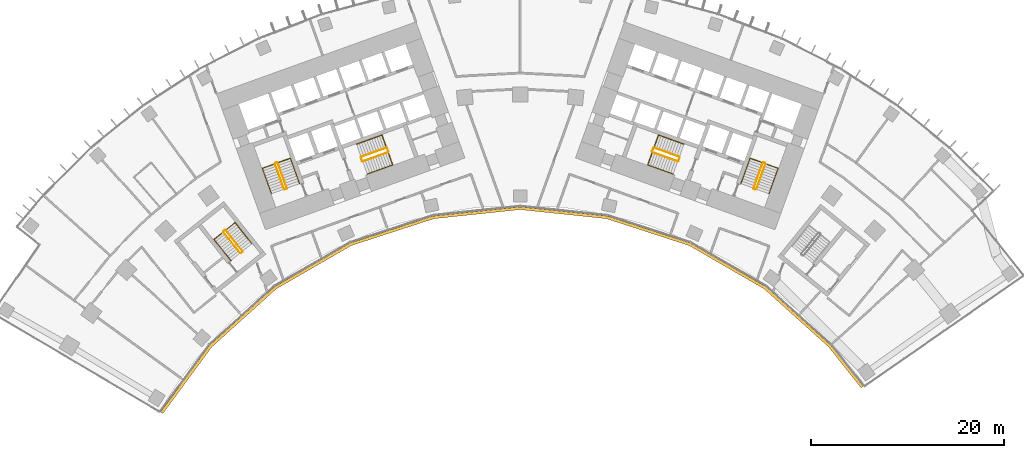
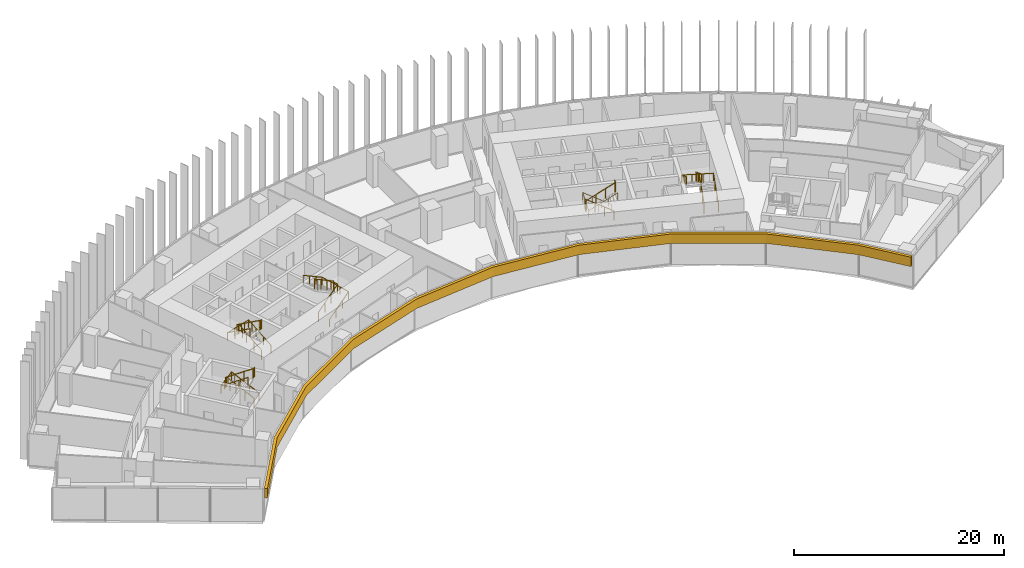
# One storey, part 23 of 24: 15 railings, 1 covering.
"""IFC4 building model written with IfcOpenShell, lengths in metres."""

from ifc_helpers import new_model, si_unit, direction, frame, origin, origin_2d, place, context, subcontext, project, spatial, polyline, circle, outline, extrude, material, layer, layer_set, type_object, element, save


model = new_model("IFC4")

# Units and contexts
model_context = context("Model", 3, precision=1e-05, world=origin(), true_north=direction((0.0, 1.0)))
body_context = subcontext(model_context, "Body", "Model", "MODEL_VIEW")
ifc_project = project(units=[si_unit("LENGTHUNIT", "METRE"), si_unit("AREAUNIT", "SQUARE_METRE"), si_unit("VOLUMEUNIT", "CUBIC_METRE"), si_unit("PLANEANGLEUNIT", "RADIAN"), si_unit("MASSUNIT", "GRAM", prefix="KILO")], contexts=[model_context])

# Site, building, storey
site_placement = place(None, origin())
site = spatial("IfcSite", under=ifc_project, at=site_placement, CompositionType="ELEMENT")
building_placement = place(site_placement, origin())
building = spatial("IfcBuilding", under=site, at=building_placement, Name="Stone Belt Terrace Tower", CompositionType="ELEMENT")
storey_placement = place(building_placement, frame((0.0, 0.0, 64.199951171875)))
storey = spatial("IfcBuildingStorey", under=building, at=storey_placement, Name="L15", CompositionType="ELEMENT", Elevation=64.199951171875)

# Railings
ifc_material_1 = material(Name="Structural steel C345", Category="steel")
railing_type_1 = type_object("IfcRailingType", Name="Stair guard 1100", PredefinedType="GUARDRAIL", material=ifc_material_1)
railing_1_placement = place(storey_placement, frame((-24.2119140625, 45.276123046875, 0.1728515625)))
element("IfcRailing", 1, at=railing_1_placement, inside=storey, type_object=railing_type_1, Name="L15 ST1A stair guard 1", PredefinedType="GUARDRAIL", context=body_context, shape_type="SweptSolid", body=[
    extrude(circle(Radius=0.02392578125, at=origin_2d()), frame((0.0, 0.0, 1.076171875), z_axis=(-0.288228637646, 0.800791768495, 0.525030280985), x_axis=(-0.940908529223, -0.338660803216, 0.0)), (0.0, 0.0, 1.0), 3.289794921875),
    extrude(circle(Radius=0.02392578125, at=origin_2d()), frame((-0.9482421875, 2.634521484375, 2.80322265625), z_axis=(-0.905209821074, 0.424964916, 0.0), x_axis=(-0.424964916, -0.905209821074, 0.0)), (0.0, 0.0, 1.0), 0.070556640625),
    extrude(circle(Radius=0.02392578125, at=origin_2d()), frame((-1.01220703125, 2.66455078125, 2.80322265625), z_axis=(-0.941105063269, -0.338114270461, 0.0), x_axis=(0.338114270461, -0.941105063269, 0.0)), (0.0, 0.0, 1.0), 0.199951171875),
    extrude(circle(Radius=0.02099609375, at=origin_2d()), origin(), (0.0, 0.0, 1.0), 1.052001953125),
    extrude(circle(Radius=0.02099609375, at=origin_2d()), frame((-0.316162109375, 0.878173828125, 0.57568359375)), (0.0, 0.0, 1.0), 1.052001953125),
    extrude(circle(Radius=0.02099609375, at=origin_2d()), frame((-0.632080078125, 1.75634765625, 1.151611328125)), (0.0, 0.0, 1.0), 1.052001953125),
    extrude(circle(Radius=0.02099609375, at=origin_2d()), frame((-0.9482421875, 2.634521484375, 1.727294921875)), (0.0, 0.0, 1.0), 1.052001953125),
    extrude(circle(Radius=0.02099609375, at=origin_2d()), frame((-1.01220703125, 2.66455078125, 1.727294921875)), (0.0, 0.0, 1.0), 1.052001953125),
    extrude(circle(Radius=0.02099609375, at=origin_2d()), frame((-1.200439453125, 2.596923828125, 1.727294921875)), (0.0, 0.0, 1.0), 1.052001953125),
])
railing_2_placement = place(storey_placement, frame((-25.4423828125, 47.80908203125, 2.07275390625)))
element("IfcRailing", 2, at=railing_2_placement, inside=storey, type_object=railing_type_1, Name="L15 ST1A stair guard 2", PredefinedType="GUARDRAIL", context=body_context, shape_type="SweptSolid", body=[
    extrude(circle(Radius=0.02392578125, at=origin_2d()), frame((0.0, 0.0, 1.076171875), z_axis=(0.288228637646, -0.800791768495, 0.525030280985), x_axis=(0.940908529223, 0.338660803216, 0.0)), (0.0, 0.0, 1.0), 3.289794921875),
    extrude(circle(Radius=0.02392578125, at=origin_2d()), frame((0.9482421875, -2.634521484375, 2.80322265625), z_axis=(0.903878284585, -0.427789722475, 0.0), x_axis=(0.427789722475, 0.903878284585, 0.0)), (0.0, 0.0, 1.0), 0.07080078125),
    extrude(circle(Radius=0.02392578125, at=origin_2d()), frame((1.01220703125, -2.664794921875, 2.80322265625), z_axis=(0.940575576748, 0.339584429008, 0.0), x_axis=(-0.339584429008, 0.940575576748, 0.0)), (0.0, 0.0, 1.0), 0.199951171875),
    extrude(circle(Radius=0.02099609375, at=origin_2d()), origin(), (0.0, 0.0, 1.0), 1.052001953125),
    extrude(circle(Radius=0.02099609375, at=origin_2d()), frame((0.316162109375, -0.878173828125, 0.57568359375)), (0.0, 0.0, 1.0), 1.052001953125),
    extrude(circle(Radius=0.02099609375, at=origin_2d()), frame((0.632080078125, -1.75634765625, 1.151611328125)), (0.0, 0.0, 1.0), 1.052001953125),
    extrude(circle(Radius=0.02099609375, at=origin_2d()), frame((0.9482421875, -2.634521484375, 1.727294921875)), (0.0, 0.0, 1.0), 1.052001953125),
    extrude(circle(Radius=0.02099609375, at=origin_2d()), frame((1.01220703125, -2.664794921875, 1.727294921875)), (0.0, 0.0, 1.0), 1.052001953125),
    extrude(circle(Radius=0.02099609375, at=origin_2d()), frame((1.2001953125, -2.596923828125, 1.727294921875)), (0.0, 0.0, 1.0), 1.052001953125),
])
railing_3_placement = place(storey_placement, frame((-16.33837890625, 48.056640625, 0.1728515625)))
element("IfcRailing", 3, at=railing_3_placement, inside=storey, type_object=railing_type_1, Name="L15 ST2A stair guard 1", PredefinedType="GUARDRAIL", context=body_context, shape_type="SweptSolid", body=[
    extrude(circle(Radius=0.02392578125, at=origin_2d()), frame((0.0, 0.0, 1.076171875), z_axis=(0.800808895155, 0.288160591223, 0.52504150989), x_axis=(-0.338583606334, 0.940936311087, 0.0)), (0.0, 0.0, 1.0), 3.289794921875),
    extrude(circle(Radius=0.02392578125, at=origin_2d()), frame((2.634521484375, 0.947998046875, 2.80322265625), z_axis=(0.427789722475, 0.903878284585, 0.0), x_axis=(-0.903878284585, 0.427789722475, 0.0)), (0.0, 0.0, 1.0), 0.07080078125),
    extrude(circle(Radius=0.02392578125, at=origin_2d()), frame((2.664794921875, 1.011962890625, 2.80322265625), z_axis=(-0.338654645739, 0.940910745459, 0.0), x_axis=(-0.940910745459, -0.338654645739, 0.0)), (0.0, 0.0, 1.0), 0.400146484375),
    extrude(circle(Radius=0.02099609375, at=origin_2d()), origin(), (0.0, 0.0, 1.0), 1.052001953125),
    extrude(circle(Radius=0.02099609375, at=origin_2d()), frame((0.878173828125, 0.31591796875, 0.57568359375)), (0.0, 0.0, 1.0), 1.052001953125),
    extrude(circle(Radius=0.02099609375, at=origin_2d()), frame((1.75634765625, 0.632080078125, 1.151611328125)), (0.0, 0.0, 1.0), 1.052001953125),
    extrude(circle(Radius=0.02099609375, at=origin_2d()), frame((2.634521484375, 0.947998046875, 1.727294921875)), (0.0, 0.0, 1.0), 1.052001953125),
    extrude(circle(Radius=0.02099609375, at=origin_2d()), frame((2.664794921875, 1.011962890625, 1.727294921875)), (0.0, 0.0, 1.0), 1.052001953125),
    extrude(circle(Radius=0.02099609375, at=origin_2d()), frame((2.529296875, 1.388427734375, 1.727294921875)), (0.0, 0.0, 1.0), 1.052001953125),
])
railing_4_placement = place(storey_placement, frame((-13.873046875, 49.47509765625, 2.07275390625)))
element("IfcRailing", 4, at=railing_4_placement, inside=storey, type_object=railing_type_1, Name="L15 ST2A stair guard 2", PredefinedType="GUARDRAIL", context=body_context, shape_type="SweptSolid", body=[
    extrude(circle(Radius=0.02392578125, at=origin_2d()), frame((0.0, 0.0, 1.076171875), z_axis=(-0.800808895155, -0.288160591223, 0.52504150989), x_axis=(0.338583606334, -0.940936311087, 0.0)), (0.0, 0.0, 1.0), 3.289794921875),
    extrude(circle(Radius=0.02392578125, at=origin_2d()), frame((-2.634521484375, -0.947998046875, 2.80322265625), z_axis=(-0.427789722475, -0.903878284585, 0.0), x_axis=(0.903878284585, -0.427789722475, 0.0)), (0.0, 0.0, 1.0), 0.07080078125),
    extrude(circle(Radius=0.02392578125, at=origin_2d()), frame((-2.664794921875, -1.011962890625, 2.80322265625), z_axis=(0.338654645739, -0.940910745459, 0.0), x_axis=(0.940910745459, 0.338654645739, 0.0)), (0.0, 0.0, 1.0), 0.400146484375),
    extrude(circle(Radius=0.02099609375, at=origin_2d()), origin(), (0.0, 0.0, 1.0), 1.052001953125),
    extrude(circle(Radius=0.02099609375, at=origin_2d()), frame((-0.878173828125, -0.31591796875, 0.57568359375)), (0.0, 0.0, 1.0), 1.052001953125),
    extrude(circle(Radius=0.02099609375, at=origin_2d()), frame((-1.75634765625, -0.632080078125, 1.151611328125)), (0.0, 0.0, 1.0), 1.052001953125),
    extrude(circle(Radius=0.02099609375, at=origin_2d()), frame((-2.634521484375, -0.947998046875, 1.727294921875)), (0.0, 0.0, 1.0), 1.052001953125),
    extrude(circle(Radius=0.02099609375, at=origin_2d()), frame((-2.664794921875, -1.011962890625, 1.727294921875)), (0.0, 0.0, 1.0), 1.052001953125),
    extrude(circle(Radius=0.02099609375, at=origin_2d()), frame((-2.529296875, -1.388427734375, 1.727294921875)), (0.0, 0.0, 1.0), 1.052001953125),
])
railing_5_placement = place(storey_placement, frame((24.494140625, 45.174560546875, 0.1728515625)))
element("IfcRailing", 5, at=railing_5_placement, inside=storey, type_object=railing_type_1, Name="L15 ST1B stair guard 1", PredefinedType="GUARDRAIL", context=body_context, shape_type="SweptSolid", body=[
    extrude(circle(Radius=0.02392578125, at=origin_2d()), frame((0.0, 0.0, 1.076171875), z_axis=(0.288228637646, 0.800791768495, 0.525030280985), x_axis=(-0.940908529223, 0.338660803216, 0.0)), (0.0, 0.0, 1.0), 3.289794921875),
    extrude(circle(Radius=0.02392578125, at=origin_2d()), frame((0.9482421875, 2.634521484375, 2.80322265625), z_axis=(-0.424964916, 0.905209821074, 0.0), x_axis=(-0.905209821074, -0.424964916, 0.0)), (0.0, 0.0, 1.0), 0.070556640625),
    extrude(circle(Radius=0.02392578125, at=origin_2d()), frame((0.918212890625, 2.698486328125, 2.80322265625), z_axis=(-0.941105063269, 0.338114270461, 0.0), x_axis=(-0.338114270461, -0.941105063269, 0.0)), (0.0, 0.0, 1.0), 0.199951171875),
    extrude(circle(Radius=0.02099609375, at=origin_2d()), origin(), (0.0, 0.0, 1.0), 1.052001953125),
    extrude(circle(Radius=0.02099609375, at=origin_2d()), frame((0.316162109375, 0.878173828125, 0.57568359375)), (0.0, 0.0, 1.0), 1.052001953125),
    extrude(circle(Radius=0.02099609375, at=origin_2d()), frame((0.632080078125, 1.75634765625, 1.151611328125)), (0.0, 0.0, 1.0), 1.052001953125),
    extrude(circle(Radius=0.02099609375, at=origin_2d()), frame((0.9482421875, 2.634521484375, 1.727294921875)), (0.0, 0.0, 1.0), 1.052001953125),
    extrude(circle(Radius=0.02099609375, at=origin_2d()), frame((0.918212890625, 2.698486328125, 1.727294921875)), (0.0, 0.0, 1.0), 1.052001953125),
    extrude(circle(Radius=0.02099609375, at=origin_2d()), frame((0.72998046875, 2.76611328125, 1.727294921875)), (0.0, 0.0, 1.0), 1.052001953125),
])
railing_6_placement = place(storey_placement, frame((25.16015625, 47.91064453125, 2.07275390625)))
element("IfcRailing", 6, at=railing_6_placement, inside=storey, type_object=railing_type_1, Name="L15 ST1B stair guard 2", PredefinedType="GUARDRAIL", context=body_context, shape_type="SweptSolid", body=[
    extrude(circle(Radius=0.02392578125, at=origin_2d()), frame((0.0, 0.0, 1.076171875), z_axis=(-0.288228637646, -0.800791768495, 0.525030280985), x_axis=(0.940908529223, -0.338660803216, 0.0)), (0.0, 0.0, 1.0), 3.289794921875),
    extrude(circle(Radius=0.02392578125, at=origin_2d()), frame((-0.9482421875, -2.634521484375, 2.80322265625), z_axis=(0.427789722475, -0.903878284585, 0.0), x_axis=(0.903878284585, 0.427789722475, 0.0)), (0.0, 0.0, 1.0), 0.07080078125),
    extrude(circle(Radius=0.02392578125, at=origin_2d()), frame((-0.91796875, -2.698486328125, 2.80322265625), z_axis=(0.940575576748, -0.339584429008, 0.0), x_axis=(0.339584429008, 0.940575576748, 0.0)), (0.0, 0.0, 1.0), 0.199951171875),
    extrude(circle(Radius=0.02099609375, at=origin_2d()), origin(), (0.0, 0.0, 1.0), 1.052001953125),
    extrude(circle(Radius=0.02099609375, at=origin_2d()), frame((-0.316162109375, -0.878173828125, 0.57568359375)), (0.0, 0.0, 1.0), 1.052001953125),
    extrude(circle(Radius=0.02099609375, at=origin_2d()), frame((-0.632080078125, -1.75634765625, 1.151611328125)), (0.0, 0.0, 1.0), 1.052001953125),
    extrude(circle(Radius=0.02099609375, at=origin_2d()), frame((-0.9482421875, -2.634521484375, 1.727294921875)), (0.0, 0.0, 1.0), 1.052001953125),
    extrude(circle(Radius=0.02099609375, at=origin_2d()), frame((-0.91796875, -2.698486328125, 1.727294921875)), (0.0, 0.0, 1.0), 1.052001953125),
    extrude(circle(Radius=0.02099609375, at=origin_2d()), frame((-0.72998046875, -2.766357421875, 1.727294921875)), (0.0, 0.0, 1.0), 1.052001953125),
])
railing_7_placement = place(storey_placement, frame((16.507568359375, 48.527099609375, 0.1728515625)))
element("IfcRailing", 7, at=railing_7_placement, inside=storey, type_object=railing_type_1, Name="L15 ST2B stair guard 1", PredefinedType="GUARDRAIL", context=body_context, shape_type="SweptSolid", body=[
    extrude(circle(Radius=0.02392578125, at=origin_2d()), frame((0.0, 0.0, 1.076171875), z_axis=(-0.800808895155, 0.288160591223, 0.52504150989), x_axis=(-0.338583606334, -0.940936311087, 0.0)), (0.0, 0.0, 1.0), 3.289794921875),
    extrude(circle(Radius=0.02392578125, at=origin_2d()), frame((-2.634521484375, 0.947998046875, 2.80322265625), z_axis=(-0.905209821074, -0.424964916, 0.0), x_axis=(0.424964916, -0.905209821074, 0.0)), (0.0, 0.0, 1.0), 0.070556640625),
    extrude(circle(Radius=0.02392578125, at=origin_2d()), frame((-2.698486328125, 0.91796875, 2.80322265625), z_axis=(-0.338654645739, -0.940910745459, 0.0), x_axis=(0.940910745459, -0.338654645739, 0.0)), (0.0, 0.0, 1.0), 0.400146484375),
    extrude(circle(Radius=0.02099609375, at=origin_2d()), origin(), (0.0, 0.0, 1.0), 1.052001953125),
    extrude(circle(Radius=0.02099609375, at=origin_2d()), frame((-0.878173828125, 0.31591796875, 0.57568359375)), (0.0, 0.0, 1.0), 1.052001953125),
    extrude(circle(Radius=0.02099609375, at=origin_2d()), frame((-1.75634765625, 0.632080078125, 1.151611328125)), (0.0, 0.0, 1.0), 1.052001953125),
    extrude(circle(Radius=0.02099609375, at=origin_2d()), frame((-2.634521484375, 0.947998046875, 1.727294921875)), (0.0, 0.0, 1.0), 1.052001953125),
    extrude(circle(Radius=0.02099609375, at=origin_2d()), frame((-2.698486328125, 0.91796875, 1.727294921875)), (0.0, 0.0, 1.0), 1.052001953125),
    extrude(circle(Radius=0.02099609375, at=origin_2d()), frame((-2.833984375, 0.54150390625, 1.727294921875)), (0.0, 0.0, 1.0), 1.052001953125),
])
railing_8_placement = place(storey_placement, frame((13.703857421875, 49.004638671875, 2.07275390625)))
element("IfcRailing", 8, at=railing_8_placement, inside=storey, type_object=railing_type_1, Name="L15 ST2B stair guard 2", PredefinedType="GUARDRAIL", context=body_context, shape_type="SweptSolid", body=[
    extrude(circle(Radius=0.02392578125, at=origin_2d()), frame((0.0, 0.0, 1.076171875), z_axis=(0.800808895155, -0.288160591223, 0.52504150989), x_axis=(0.338583606334, 0.940936311087, 0.0)), (0.0, 0.0, 1.0), 3.289794921875),
    extrude(circle(Radius=0.02392578125, at=origin_2d()), frame((2.634521484375, -0.947998046875, 2.80322265625), z_axis=(0.905209821074, 0.424964916, 0.0), x_axis=(-0.424964916, 0.905209821074, 0.0)), (0.0, 0.0, 1.0), 0.070556640625),
    extrude(circle(Radius=0.02392578125, at=origin_2d()), frame((2.698486328125, -0.91796875, 2.80322265625), z_axis=(0.338654645739, 0.940910745459, 0.0), x_axis=(-0.940910745459, 0.338654645739, 0.0)), (0.0, 0.0, 1.0), 0.400146484375),
    extrude(circle(Radius=0.02099609375, at=origin_2d()), origin(), (0.0, 0.0, 1.0), 1.052001953125),
    extrude(circle(Radius=0.02099609375, at=origin_2d()), frame((0.878173828125, -0.31591796875, 0.57568359375)), (0.0, 0.0, 1.0), 1.052001953125),
    extrude(circle(Radius=0.02099609375, at=origin_2d()), frame((1.75634765625, -0.632080078125, 1.151611328125)), (0.0, 0.0, 1.0), 1.052001953125),
    extrude(circle(Radius=0.02099609375, at=origin_2d()), frame((2.634521484375, -0.947998046875, 1.727294921875)), (0.0, 0.0, 1.0), 1.052001953125),
    extrude(circle(Radius=0.02099609375, at=origin_2d()), frame((2.698486328125, -0.91796875, 1.727294921875)), (0.0, 0.0, 1.0), 1.052001953125),
    extrude(circle(Radius=0.02099609375, at=origin_2d()), frame((2.833984375, -0.54150390625, 1.727294921875)), (0.0, 0.0, 1.0), 1.052001953125),
])
railing_9_placement = place(storey_placement, frame((-28.814208984375, 38.734619140625, 0.1728515625)))
element("IfcRailing", 9, at=railing_9_placement, inside=storey, type_object=railing_type_1, Name="L15 ST3A stair guard 1", PredefinedType="GUARDRAIL", context=body_context, shape_type="SweptSolid", body=[
    extrude(circle(Radius=0.02392578125, at=origin_2d()), frame((0.0, 0.0, 1.076171875), z_axis=(-0.530306321799, 0.665665785969, 0.525037395288), x_axis=(-0.782143211408, -0.623098705543, 0.0)), (0.0, 0.0, 1.0), 3.289794921875),
    extrude(circle(Radius=0.02392578125, at=origin_2d()), frame((-1.74462890625, 2.18994140625, 2.80322265625), z_axis=(-0.993883734674, 0.110431526075, 0.0), x_axis=(-0.110431526075, -0.993883734674, 0.0)), (0.0, 0.0, 1.0), 0.07080078125),
    extrude(circle(Radius=0.02392578125, at=origin_2d()), frame((-1.81494140625, 2.19775390625, 2.80322265625), z_axis=(-0.782533463299, -0.622608527742, 0.0), x_axis=(0.622608527742, -0.782533463299, 0.0)), (0.0, 0.0, 1.0), 0.199951171875),
    extrude(circle(Radius=0.02099609375, at=origin_2d()), origin(), (0.0, 0.0, 1.0), 1.052001953125),
    extrude(circle(Radius=0.02099609375, at=origin_2d()), frame((-0.58154296875, 0.72998046875, 0.57568359375)), (0.0, 0.0, 1.0), 1.052001953125),
    extrude(circle(Radius=0.02099609375, at=origin_2d()), frame((-1.1630859375, 1.4599609375, 1.151611328125)), (0.0, 0.0, 1.0), 1.052001953125),
    extrude(circle(Radius=0.02099609375, at=origin_2d()), frame((-1.74462890625, 2.18994140625, 1.727294921875)), (0.0, 0.0, 1.0), 1.052001953125),
    extrude(circle(Radius=0.02099609375, at=origin_2d()), frame((-1.81494140625, 2.19775390625, 1.727294921875)), (0.0, 0.0, 1.0), 1.052001953125),
    extrude(circle(Radius=0.02099609375, at=origin_2d()), frame((-1.971435546875, 2.0732421875, 1.727294921875)), (0.0, 0.0, 1.0), 1.052001953125),
])
railing_10_placement = place(storey_placement, frame((-30.793701171875, 40.737548828125, 2.07275390625)))
element("IfcRailing", 10, at=railing_10_placement, inside=storey, type_object=railing_type_1, Name="L15 ST3A stair guard 2", PredefinedType="GUARDRAIL", context=body_context, shape_type="SweptSolid", body=[
    extrude(circle(Radius=0.02392578125, at=origin_2d()), frame((0.0, 0.0, 1.076171875), z_axis=(0.530359659125, -0.665639588968, 0.525016732659), x_axis=(0.782100716982, 0.62315204284, 0.0)), (0.0, 0.0, 1.0), 3.2900390625),
    extrude(circle(Radius=0.02392578125, at=origin_2d()), frame((1.744873046875, -2.18994140625, 2.80322265625), z_axis=(0.993499272973, -0.113838458361, 0.0), x_axis=(0.113838458361, 0.993499272973, 0.0)), (0.0, 0.0, 1.0), 0.07080078125),
    extrude(circle(Radius=0.02392578125, at=origin_2d()), frame((1.815185546875, -2.197998046875, 2.80322265625), z_axis=(0.781464082609, 0.623950228458, 0.0), x_axis=(-0.623950228458, 0.781464082609, 0.0)), (0.0, 0.0, 1.0), 0.199951171875),
    extrude(circle(Radius=0.02099609375, at=origin_2d()), origin(), (0.0, 0.0, 1.0), 1.052001953125),
    extrude(circle(Radius=0.02099609375, at=origin_2d()), frame((0.58154296875, -0.72998046875, 0.57568359375)), (0.0, 0.0, 1.0), 1.052001953125),
    extrude(circle(Radius=0.02099609375, at=origin_2d()), frame((1.163330078125, -1.4599609375, 1.151611328125)), (0.0, 0.0, 1.0), 1.052001953125),
    extrude(circle(Radius=0.02099609375, at=origin_2d()), frame((1.744873046875, -2.18994140625, 1.727294921875)), (0.0, 0.0, 1.0), 1.052001953125),
    extrude(circle(Radius=0.02099609375, at=origin_2d()), frame((1.815185546875, -2.197998046875, 1.727294921875)), (0.0, 0.0, 1.0), 1.052001953125),
    extrude(circle(Radius=0.02099609375, at=origin_2d()), frame((1.971435546875, -2.0732421875, 1.727294921875)), (0.0, 0.0, 1.0), 1.052001953125),
])
railing_type_2 = type_object("IfcRailingType", Name="Stair handrail 900", PredefinedType="HANDRAIL", material=ifc_material_1)
railing_11_placement = place(storey_placement, frame((-22.894775390625, 45.750244140625, 0.1728515625)))
element("IfcRailing", 11, at=railing_11_placement, inside=storey, type_object=railing_type_2, Name="L15 ST1A stair handrail 1", PredefinedType="HANDRAIL", context=body_context, shape_type="SweptSolid", body=[
    extrude(circle(Radius=0.02392578125, at=origin_2d()), frame((0.0, 0.0, 0.8759765625), z_axis=(-0.288160591223, 0.800808895155, 0.52504150989), x_axis=(-0.940936311087, -0.338583606334, 0.0)), (0.0, 0.0, 1.0), 3.289794921875),
    extrude(circle(Radius=0.02392578125, at=origin_2d()), frame((-0.947998046875, 2.634521484375, 2.60302734375), z_axis=(-0.939464517435, -0.338106580597, 0.055591012205), x_axis=(0.338630230244, -0.940919532779, 0.0)), (0.0, 0.0, 1.0), 3.10498046875),
    extrude(circle(Radius=0.02392578125, at=origin_2d()), frame((-3.864990234375, 1.584716796875, 2.77587890625), z_axis=(0.288228637646, -0.800791768495, 0.525030280985), x_axis=(0.940908529223, 0.338660803216, 0.0)), (0.0, 0.0, 1.0), 3.289794921875),
    extrude(circle(Radius=0.02099609375, at=origin_2d()), origin(), (0.0, 0.0, 1.0), 0.851806640625),
    extrude(circle(Radius=0.02099609375, at=origin_2d()), frame((-0.31591796875, 0.878173828125, 0.57568359375)), (0.0, 0.0, 1.0), 0.851806640625),
    extrude(circle(Radius=0.02099609375, at=origin_2d()), frame((-0.632080078125, 1.75634765625, 1.151611328125)), (0.0, 0.0, 1.0), 0.851806640625),
    extrude(circle(Radius=0.02099609375, at=origin_2d()), frame((-0.947998046875, 2.634521484375, 1.727294921875)), (0.0, 0.0, 1.0), 0.851806640625),
    extrude(circle(Radius=0.02099609375, at=origin_2d()), frame((-1.92041015625, 2.28466796875, 1.784912109375)), (0.0, 0.0, 1.0), 0.851806640625),
    extrude(circle(Radius=0.02099609375, at=origin_2d()), frame((-2.892578125, 1.9345703125, 1.84228515625)), (0.0, 0.0, 1.0), 0.851806640625),
    extrude(circle(Radius=0.02099609375, at=origin_2d()), frame((-3.864990234375, 1.584716796875, 1.89990234375)), (0.0, 0.0, 1.0), 0.851806640625),
    extrude(circle(Radius=0.02099609375, at=origin_2d()), frame((-3.548828125, 0.70654296875, 2.4755859375)), (0.0, 0.0, 1.0), 0.851806640625),
    extrude(circle(Radius=0.02099609375, at=origin_2d()), frame((-3.23291015625, -0.171630859375, 3.051513671875)), (0.0, 0.0, 1.0), 0.851806640625),
    extrude(circle(Radius=0.02099609375, at=origin_2d()), frame((-2.916748046875, -1.0498046875, 3.627197265625)), (0.0, 0.0, 1.0), 0.851806640625),
])
railing_12_placement = place(storey_placement, frame((-15.8642578125, 46.7392578125, 0.1728515625)))
element("IfcRailing", 12, at=railing_12_placement, inside=storey, type_object=railing_type_2, Name="L15 ST2A stair handrail 1", PredefinedType="HANDRAIL", context=body_context, shape_type="SweptSolid", body=[
    extrude(circle(Radius=0.02392578125, at=origin_2d()), frame((0.0, 0.0, 0.8759765625), z_axis=(0.800791768495, 0.288228637646, 0.525030280985), x_axis=(-0.338660803216, 0.940908529223, 0.0)), (0.0, 0.0, 1.0), 3.289794921875),
    extrude(circle(Radius=0.02392578125, at=origin_2d()), frame((2.634521484375, 0.9482421875, 2.60302734375), z_axis=(-0.338160254016, 0.939637778147, 0.052234935458), x_axis=(-0.940922302781, -0.338622533404, 0.0)), (0.0, 0.0, 1.0), 3.304443359375),
    extrude(circle(Radius=0.02392578125, at=origin_2d()), frame((1.51708984375, 4.05322265625, 2.77587890625), z_axis=(-0.800791768495, -0.288228637646, 0.525030280985), x_axis=(0.338660803216, -0.940908529223, 0.0)), (0.0, 0.0, 1.0), 3.289794921875),
    extrude(circle(Radius=0.02099609375, at=origin_2d()), origin(), (0.0, 0.0, 1.0), 0.851806640625),
    extrude(circle(Radius=0.02099609375, at=origin_2d()), frame((0.878173828125, 0.316162109375, 0.57568359375)), (0.0, 0.0, 1.0), 0.851806640625),
    extrude(circle(Radius=0.02099609375, at=origin_2d()), frame((1.75634765625, 0.632080078125, 1.151611328125)), (0.0, 0.0, 1.0), 0.851806640625),
    extrude(circle(Radius=0.02099609375, at=origin_2d()), frame((2.634521484375, 0.9482421875, 1.727294921875)), (0.0, 0.0, 1.0), 0.851806640625),
    extrude(circle(Radius=0.02099609375, at=origin_2d()), frame((2.261962890625, 1.983154296875, 1.784912109375)), (0.0, 0.0, 1.0), 0.851806640625),
    extrude(circle(Radius=0.02099609375, at=origin_2d()), frame((1.8896484375, 3.018310546875, 1.84228515625)), (0.0, 0.0, 1.0), 0.851806640625),
    extrude(circle(Radius=0.02099609375, at=origin_2d()), frame((1.51708984375, 4.05322265625, 1.89990234375)), (0.0, 0.0, 1.0), 0.851806640625),
    extrude(circle(Radius=0.02099609375, at=origin_2d()), frame((0.638916015625, 3.737060546875, 2.4755859375)), (0.0, 0.0, 1.0), 0.851806640625),
    extrude(circle(Radius=0.02099609375, at=origin_2d()), frame((-0.2392578125, 3.421142578125, 3.051513671875)), (0.0, 0.0, 1.0), 0.851806640625),
    extrude(circle(Radius=0.02099609375, at=origin_2d()), frame((-1.117431640625, 3.10498046875, 3.627197265625)), (0.0, 0.0, 1.0), 0.851806640625),
])
railing_13_placement = place(storey_placement, frame((25.8115234375, 44.700439453125, 0.1728515625)))
element("IfcRailing", 13, at=railing_13_placement, inside=storey, type_object=railing_type_2, Name="L15 ST1B stair handrail 1", PredefinedType="HANDRAIL", context=body_context, shape_type="SweptSolid", body=[
    extrude(circle(Radius=0.02392578125, at=origin_2d()), frame((0.0, 0.0, 0.8759765625), z_axis=(0.288228637646, 0.800791768495, 0.525030280985), x_axis=(-0.940908529223, 0.338660803216, 0.0)), (0.0, 0.0, 1.0), 3.289794921875),
    extrude(circle(Radius=0.02392578125, at=origin_2d()), frame((0.9482421875, 2.634521484375, 2.60302734375), z_axis=(-0.939464517435, 0.338106580597, 0.055591012205), x_axis=(-0.338630230244, -0.940919532779, 0.0)), (0.0, 0.0, 1.0), 3.10498046875),
    extrude(circle(Radius=0.02392578125, at=origin_2d()), frame((-1.96875, 3.684326171875, 2.77587890625), z_axis=(-0.288160591223, -0.800808895155, 0.52504150989), x_axis=(0.940936311087, -0.338583606334, 0.0)), (0.0, 0.0, 1.0), 3.289794921875),
    extrude(circle(Radius=0.02099609375, at=origin_2d()), origin(), (0.0, 0.0, 1.0), 0.851806640625),
    extrude(circle(Radius=0.02099609375, at=origin_2d()), frame((0.316162109375, 0.878173828125, 0.57568359375)), (0.0, 0.0, 1.0), 0.851806640625),
    extrude(circle(Radius=0.02099609375, at=origin_2d()), frame((0.632080078125, 1.75634765625, 1.151611328125)), (0.0, 0.0, 1.0), 0.851806640625),
    extrude(circle(Radius=0.02099609375, at=origin_2d()), frame((0.9482421875, 2.634521484375, 1.727294921875)), (0.0, 0.0, 1.0), 0.851806640625),
    extrude(circle(Radius=0.02099609375, at=origin_2d()), frame((-0.024169921875, 2.984375, 1.784912109375)), (0.0, 0.0, 1.0), 0.851806640625),
    extrude(circle(Radius=0.02099609375, at=origin_2d()), frame((-0.996337890625, 3.33447265625, 1.84228515625)), (0.0, 0.0, 1.0), 0.851806640625),
    extrude(circle(Radius=0.02099609375, at=origin_2d()), frame((-1.96875, 3.684326171875, 1.89990234375)), (0.0, 0.0, 1.0), 0.851806640625),
    extrude(circle(Radius=0.02099609375, at=origin_2d()), frame((-2.28466796875, 2.80615234375, 2.4755859375)), (0.0, 0.0, 1.0), 0.851806640625),
    extrude(circle(Radius=0.02099609375, at=origin_2d()), frame((-2.600830078125, 1.927978515625, 3.051513671875)), (0.0, 0.0, 1.0), 0.851806640625),
    extrude(circle(Radius=0.02099609375, at=origin_2d()), frame((-2.916748046875, 1.0498046875, 3.627197265625)), (0.0, 0.0, 1.0), 0.851806640625),
])
railing_14_placement = place(storey_placement, frame((16.981689453125, 49.84423828125, 0.1728515625)))
element("IfcRailing", 14, at=railing_14_placement, inside=storey, type_object=railing_type_2, Name="L15 ST2B stair handrail 1", PredefinedType="HANDRAIL", context=body_context, shape_type="SweptSolid", body=[
    extrude(circle(Radius=0.02392578125, at=origin_2d()), frame((0.0, 0.0, 0.8759765625), z_axis=(-0.800791768495, 0.288228637646, 0.525030280985), x_axis=(-0.338660803216, -0.940908529223, 0.0)), (0.0, 0.0, 1.0), 3.289794921875),
    extrude(circle(Radius=0.02392578125, at=origin_2d()), frame((-2.634521484375, 0.9482421875, 2.60302734375), z_axis=(-0.338160254016, -0.939637778147, 0.052234935458), x_axis=(0.940922302781, -0.338622533404, 0.0)), (0.0, 0.0, 1.0), 3.304443359375),
    extrude(circle(Radius=0.02392578125, at=origin_2d()), frame((-3.751953125, -2.15673828125, 2.77587890625), z_axis=(0.800791768495, -0.288228637646, 0.525030280985), x_axis=(0.338660803216, 0.940908529223, 0.0)), (0.0, 0.0, 1.0), 3.289794921875),
    extrude(circle(Radius=0.02099609375, at=origin_2d()), origin(), (0.0, 0.0, 1.0), 0.851806640625),
    extrude(circle(Radius=0.02099609375, at=origin_2d()), frame((-0.878173828125, 0.316162109375, 0.57568359375)), (0.0, 0.0, 1.0), 0.851806640625),
    extrude(circle(Radius=0.02099609375, at=origin_2d()), frame((-1.75634765625, 0.632080078125, 1.151611328125)), (0.0, 0.0, 1.0), 0.851806640625),
    extrude(circle(Radius=0.02099609375, at=origin_2d()), frame((-2.634521484375, 0.9482421875, 1.727294921875)), (0.0, 0.0, 1.0), 0.851806640625),
    extrude(circle(Radius=0.02099609375, at=origin_2d()), frame((-3.007080078125, -0.086669921875, 1.784912109375)), (0.0, 0.0, 1.0), 0.851806640625),
    extrude(circle(Radius=0.02099609375, at=origin_2d()), frame((-3.37939453125, -1.121826171875, 1.84228515625)), (0.0, 0.0, 1.0), 0.851806640625),
    extrude(circle(Radius=0.02099609375, at=origin_2d()), frame((-3.751953125, -2.15673828125, 1.89990234375)), (0.0, 0.0, 1.0), 0.851806640625),
    extrude(circle(Radius=0.02099609375, at=origin_2d()), frame((-2.873779296875, -2.472900390625, 2.4755859375)), (0.0, 0.0, 1.0), 0.851806640625),
    extrude(circle(Radius=0.02099609375, at=origin_2d()), frame((-1.99560546875, -2.788818359375, 3.051513671875)), (0.0, 0.0, 1.0), 0.851806640625),
    extrude(circle(Radius=0.02099609375, at=origin_2d()), frame((-1.117431640625, -3.10498046875, 3.627197265625)), (0.0, 0.0, 1.0), 0.851806640625),
])
railing_15_placement = place(storey_placement, frame((-27.836669921875, 39.513427734375, 0.1728515625)))
element("IfcRailing", 15, at=railing_15_placement, inside=storey, type_object=railing_type_2, Name="L15 ST3A stair handrail 1", PredefinedType="HANDRAIL", context=body_context, shape_type="SweptSolid", body=[
    extrude(circle(Radius=0.02392578125, at=origin_2d()), frame((0.0, 0.0, 0.8759765625), z_axis=(-0.530306321799, 0.665665785969, 0.525037395288), x_axis=(-0.782143211408, -0.623098705543, 0.0)), (0.0, 0.0, 1.0), 3.289794921875),
    extrude(circle(Radius=0.02392578125, at=origin_2d()), frame((-1.74462890625, 2.18994140625, 2.60302734375), z_axis=(-0.780661215256, -0.62191806513, 0.061530376721), x_axis=(0.623098705543, -0.782143211408, 0.0)), (0.0, 0.0, 1.0), 2.80517578125),
    extrude(circle(Radius=0.02392578125, at=origin_2d()), frame((-3.9345703125, 0.4453125, 2.77587890625), z_axis=(0.530306321799, -0.665665785969, 0.525037395288), x_axis=(0.782143211408, 0.623098705543, 0.0)), (0.0, 0.0, 1.0), 3.289794921875),
    extrude(circle(Radius=0.02099609375, at=origin_2d()), origin(), (0.0, 0.0, 1.0), 0.851806640625),
    extrude(circle(Radius=0.02099609375, at=origin_2d()), frame((-0.58154296875, 0.72998046875, 0.57568359375)), (0.0, 0.0, 1.0), 0.851806640625),
    extrude(circle(Radius=0.02099609375, at=origin_2d()), frame((-1.1630859375, 1.4599609375, 1.151611328125)), (0.0, 0.0, 1.0), 0.851806640625),
    extrude(circle(Radius=0.02099609375, at=origin_2d()), frame((-1.74462890625, 2.18994140625, 1.727294921875)), (0.0, 0.0, 1.0), 0.851806640625),
    extrude(circle(Radius=0.02099609375, at=origin_2d()), frame((-2.474609375, 1.6083984375, 1.784912109375)), (0.0, 0.0, 1.0), 0.851806640625),
    extrude(circle(Radius=0.02099609375, at=origin_2d()), frame((-3.20458984375, 1.02685546875, 1.84228515625)), (0.0, 0.0, 1.0), 0.851806640625),
    extrude(circle(Radius=0.02099609375, at=origin_2d()), frame((-3.9345703125, 0.4453125, 1.89990234375)), (0.0, 0.0, 1.0), 0.851806640625),
    extrude(circle(Radius=0.02099609375, at=origin_2d()), frame((-3.35302734375, -0.28466796875, 2.4755859375)), (0.0, 0.0, 1.0), 0.851806640625),
    extrude(circle(Radius=0.02099609375, at=origin_2d()), frame((-2.771484375, -1.0146484375, 3.051513671875)), (0.0, 0.0, 1.0), 0.851806640625),
    extrude(circle(Radius=0.02099609375, at=origin_2d()), frame((-2.18994140625, -1.74462890625, 3.627197265625)), (0.0, 0.0, 1.0), 0.851806640625),
])

# Covering
ifc_material_2 = material(Name="Terracotta coloured glazed ceramic", Category="masonry")
ifc_layer = layer(ifc_material_2, 0.300048828125)
ifc_layer_set = layer_set([ifc_layer], Name="Terracotta spandrel band 300 x 1100")
covering_type = type_object("IfcCoveringType", Name="Terracotta spandrel band 300 x 1100", PredefinedType="CLADDING", material=ifc_layer_set)
covering_placement = place(storey_placement, frame((0.0, 0.0, 2.699951171875)))
element("IfcCovering", 16, at=covering_placement, inside=storey, type_object=covering_type, Name="BAND L15", PredefinedType="CLADDING", context=body_context, shape_type="SweptSolid", body=[
    extrude(outline(polyline([(-37.3134765625, 22.068115234375), (-32.215087890625, 29.006103515625), (-25.47998046875, 35.0703125), (-17.631591796875, 39.6015625), (-9.0126953125, 42.40185546875), (0.0, 43.34912109375), (9.0126953125, 42.40185546875), (17.631591796875, 39.6015625), (25.47998046875, 35.0703125), (32.217041015625, 29.004150390625), (35.607666015625, 24.72509765625), (35.37255859375, 24.538818359375), (31.99755859375, 28.798095703125), (25.302734375, 34.826171875), (17.509033203125, 39.325927734375), (8.9501953125, 42.10693359375), (0.0, 43.047607421875), (-8.9501953125, 42.10693359375), (-17.509033203125, 39.325927734375), (-25.302734375, 34.826171875), (-31.991455078125, 28.8037109375), (-37.071533203125, 21.890380859375), (-37.3134765625, 22.068115234375)])), origin(), (0.0, 0.0, 1.0), 1.10009765625),
])

save(model, "model.ifc")
